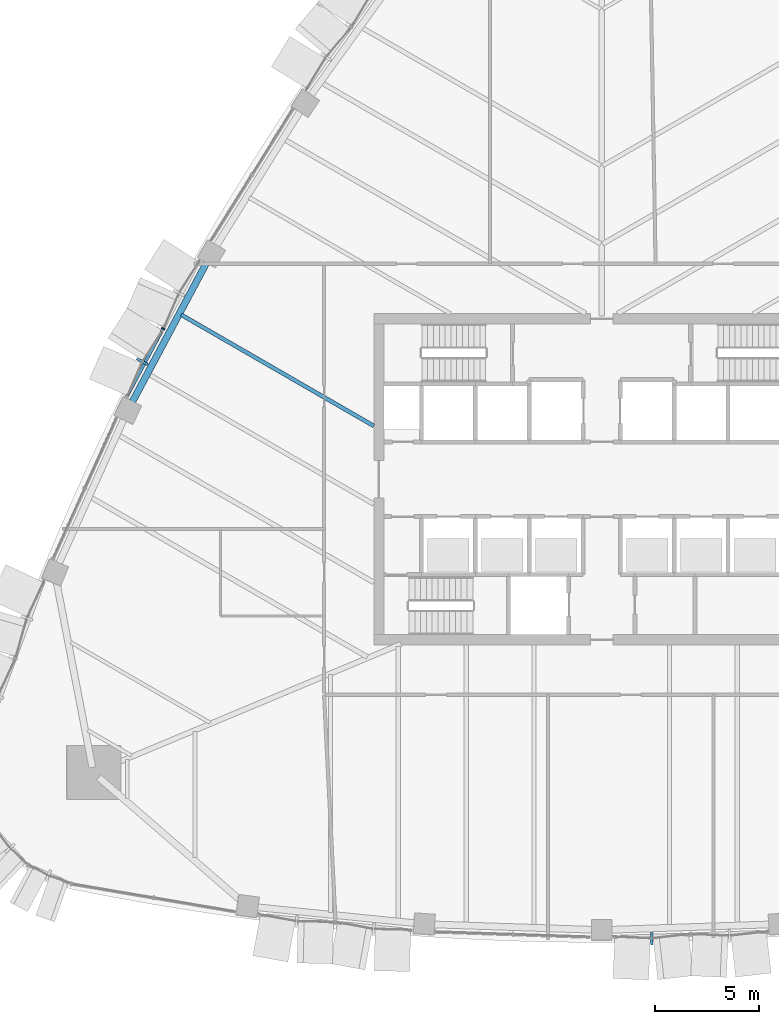
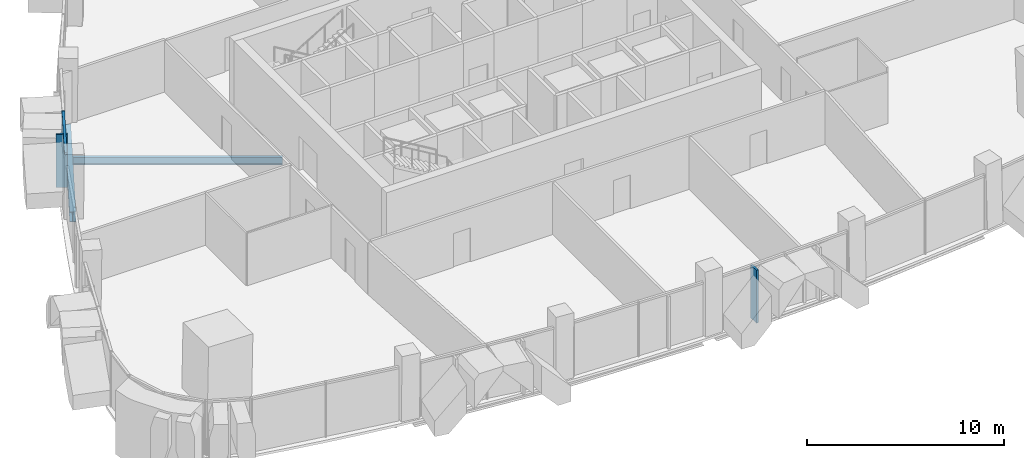
# One storey, part 3 of 17: 4 members, 2 beams, 2 elements without a shape of their own.
"""IFC4 building model written with IfcOpenShell, lengths in metres."""

from ifc_helpers import new_model, si_unit, direction, frame, origin, origin_2d, place, context, subcontext, project, spatial, rectangle, i_section, extrude, material, layer, layer_set, material_profile, profile_set, type_object, element, aggregate, save


model = new_model("IFC4")

# Units and contexts
model_context = context("Model", 3, precision=1e-05, world=origin(), true_north=direction((0.0, 1.0)))
body_context = subcontext(model_context, "Body", "Model", "MODEL_VIEW")
ifc_project = project(units=[si_unit("LENGTHUNIT", "METRE"), si_unit("AREAUNIT", "SQUARE_METRE"), si_unit("VOLUMEUNIT", "CUBIC_METRE"), si_unit("PLANEANGLEUNIT", "RADIAN"), si_unit("MASSUNIT", "GRAM", prefix="KILO")], contexts=[model_context])

# Site, building, storey
site_placement = place(None, origin())
site = spatial("IfcSite", under=ifc_project, at=site_placement, CompositionType="ELEMENT")
building_placement = place(site_placement, origin())
building = spatial("IfcBuilding", under=site, at=building_placement, Name="Sierra Prisma Convention Tower", CompositionType="ELEMENT")
storey_placement = place(building_placement, frame((0.0, 0.0, 145.800048828125)))
storey = spatial("IfcBuildingStorey", under=building, at=storey_placement, Name="L31", CompositionType="ELEMENT", Elevation=145.800048828125)

# Curtain wall, member
ifc_material_1 = material(Name="Aluminium and glass curtain wall", Category="aluminium")
ifc_layer = layer(ifc_material_1, 0.179931640625)
ifc_layer_set = layer_set([ifc_layer], Name="CW-2 Faceted crystal curtain wall")
curtain_wall_type = type_object("IfcCurtainWallType", Name="CW-2 Faceted crystal curtain wall", PredefinedType="NOTDEFINED", material=ifc_layer_set)
curtain_wall_1_placement = place(storey_placement, origin())
curtain_wall_1 = element("IfcCurtainWall", 1, at=curtain_wall_1_placement, inside=storey, type_object=curtain_wall_type, Name="CW-2 S4 L31", PredefinedType="NOTDEFINED")
ifc_material_2 = material(Name="Aluminium 6063-T6 bronze anodised", Category="aluminium")
ifc_material_profile_1 = material_profile(ifc_material_2, rectangle(XDim=0.1201171875, YDim=0.60009765625, at=origin_2d()), Name="ALU RIDGE BLADE 120x600")
ifc_profile_set_1 = profile_set([ifc_material_profile_1], Name="Aluminium 6063-T6 bronze anodised")
member_type_1 = type_object("IfcMemberType", Name="CW hip bronze", PredefinedType="MULLION", material=ifc_profile_set_1)
member_1_placement = place(storey_placement, frame((2.41748046875, -22.171142578125, 0.0), z_axis=(0.0, 0.0, 1.0), x_axis=(0.999436823655, 0.033556452778, 0.0)))
member_1 = element("IfcMember", 2, at=member_1_placement, type_object=member_type_1, Name="CW-2 ridge S4.1", PredefinedType="MULLION", context=body_context, shape_type="SweptSolid", body=[
    extrude(rectangle(XDim=0.1201171875, YDim=0.60009765625, at=origin_2d()), origin(), (0.0, 0.0, 1.0), 3.280029296875),
])
aggregate(curtain_wall_1, [member_1])

# Curtain wall, members
curtain_wall_2_placement = place(storey_placement, origin())
curtain_wall_2 = element("IfcCurtainWall", 3, at=curtain_wall_2_placement, inside=storey, type_object=curtain_wall_type, Name="CW-2 NW4 L31", PredefinedType="NOTDEFINED")
member_2_placement = place(storey_placement, frame((-22.17822265625, 5.67626953125, 0.0), z_axis=(0.0, 0.0, 1.0), x_axis=(-0.47065767126, -0.882315905152, 0.0)))
member_2 = element("IfcMember", 4, at=member_2_placement, type_object=member_type_1, Name="CW-2 ridge NW4.2", PredefinedType="MULLION", context=body_context, shape_type="SweptSolid", body=[
    extrude(rectangle(XDim=0.1201171875, YDim=0.60009765625, at=origin_2d()), origin(), (0.0, 0.0, 1.0), 3.280029296875),
])
ifc_material_3 = material(Name="Aluminium 6063-T6 bronze anodised", Category="aluminium")
ifc_material_profile_2 = material_profile(ifc_material_3, rectangle(XDim=0.179931640625, YDim=0.070068359375, at=origin_2d()), Name="ALU MULLION 70x180")
ifc_profile_set_2 = profile_set([ifc_material_profile_2], Name="Aluminium 6063-T6 bronze anodised")
member_type_2 = type_object("IfcMemberType", Name="CW mullion bronze", PredefinedType="MULLION", material=ifc_profile_set_2)
member_3_placement = place(storey_placement, frame((-21.165771484375, 7.265869140625, 0.0), z_axis=(0.0, 0.0, 1.0), x_axis=(0.882315905152, -0.47065767126, 0.0)))
member_3 = element("IfcMember", 5, at=member_3_placement, type_object=member_type_2, Name="CW-1 mullion NW4.2", PredefinedType="MULLION", context=body_context, shape_type="SweptSolid", body=[
    extrude(rectangle(XDim=0.179931640625, YDim=0.070068359375, at=origin_2d()), origin(), (0.0, 0.0, 1.0), 3.39990234375),
])
ifc_material_4 = material(Name="Aluminium 6063-T6 bronze anodised", Category="aluminium")
ifc_material_profile_3 = material_profile(ifc_material_4, rectangle(XDim=0.139892578125, YDim=0.1201171875, at=origin_2d()), Name="ALU TRANSOM 120x140")
ifc_profile_set_3 = profile_set([ifc_material_profile_3], Name="Aluminium 6063-T6 bronze anodised")
member_type_3 = type_object("IfcMemberType", Name="CW transom bronze", PredefinedType="USERDEFINED", material=ifc_profile_set_3)
member_4_placement = place(storey_placement, frame((-21.182373046875, 7.23486328125, 3.33984375), z_axis=(-0.470626031532, -0.882332782143, 0.0), x_axis=(0.882332782143, -0.470626031532, 0.0)))
member_4 = element("IfcMember", 6, at=member_4_placement, type_object=member_type_3, Name="CW-1 transom NW4.2", ObjectType="TRANSOM", PredefinedType="USERDEFINED", context=body_context, shape_type="SweptSolid", body=[
    extrude(rectangle(XDim=0.139892578125, YDim=0.1201171875, at=origin_2d()), origin(), (0.0, 0.0, 1.0), 3.687744140625),
])
aggregate(curtain_wall_2, [member_3, member_4, member_2])

# Beams
ifc_material_5 = material(Name="Steel ASTM A992 Gr 50", Category="steel")
ifc_material_profile_4 = material_profile(ifc_material_5, i_section(OverallWidth=0.18994140625, OverallDepth=0.45703125, WebThickness=0.009033203125, FlangeThickness=0.014404296875, at=origin_2d()), Name="W460x74")
ifc_profile_set_4 = profile_set([ifc_material_profile_4], Name="Steel ASTM A992 Gr 50")
beam_type_1 = type_object("IfcBeamType", Name="Floor joist W460x74", PredefinedType="JOIST", material=ifc_profile_set_4)
beam_1_placement = place(storey_placement, frame((-20.28515625, 7.9345703125, -0.378662109375), z_axis=(0.866023288173, -0.500003664328, 0.0), x_axis=(0.500003664328, 0.866023288173, 0.0)))
element("IfcBeam", 7, at=beam_1_placement, inside=storey, type_object=beam_type_1, Name="Floor joist L31 NW09", PredefinedType="JOIST", context=body_context, shape_type="SweptSolid", body=[
    extrude(i_section(OverallWidth=0.18994140625, OverallDepth=0.45703125, WebThickness=0.009033203125, FlangeThickness=0.014404296875, at=origin_2d()), origin(), (0.0, 0.0, 1.0), 10.7216796875),
])
ifc_material_6 = material(Name="Steel ASTM A992 Gr 50", Category="steel")
ifc_material_profile_5 = material_profile(ifc_material_6, i_section(OverallWidth=0.324951171875, OverallDepth=0.615966796875, WebThickness=0.013916015625, FlangeThickness=0.021484375, at=origin_2d()), Name="W610x174")
ifc_profile_set_5 = profile_set([ifc_material_profile_5], Name="Steel ASTM A992 Gr 50")
beam_type_2 = type_object("IfcBeamType", Name="Spandrel beam W610x174", PredefinedType="BEAM", material=ifc_profile_set_5)
beam_2_placement = place(storey_placement, frame((-19.021240234375, 10.54296875, -0.4580078125), z_axis=(-0.470664447324, -0.882312290533, 0.0), x_axis=(0.882312290533, -0.470664447324, 0.0)))
element("IfcBeam", 8, at=beam_2_placement, inside=storey, type_object=beam_type_2, Name="Spandrel L31-16", PredefinedType="BEAM", context=body_context, shape_type="SweptSolid", body=[
    extrude(i_section(OverallWidth=0.324951171875, OverallDepth=0.615966796875, WebThickness=0.013916015625, FlangeThickness=0.021484375, at=origin_2d()), origin(), (0.0, 0.0, 1.0), 7.814453125),
])

save(model, "model.ifc")
